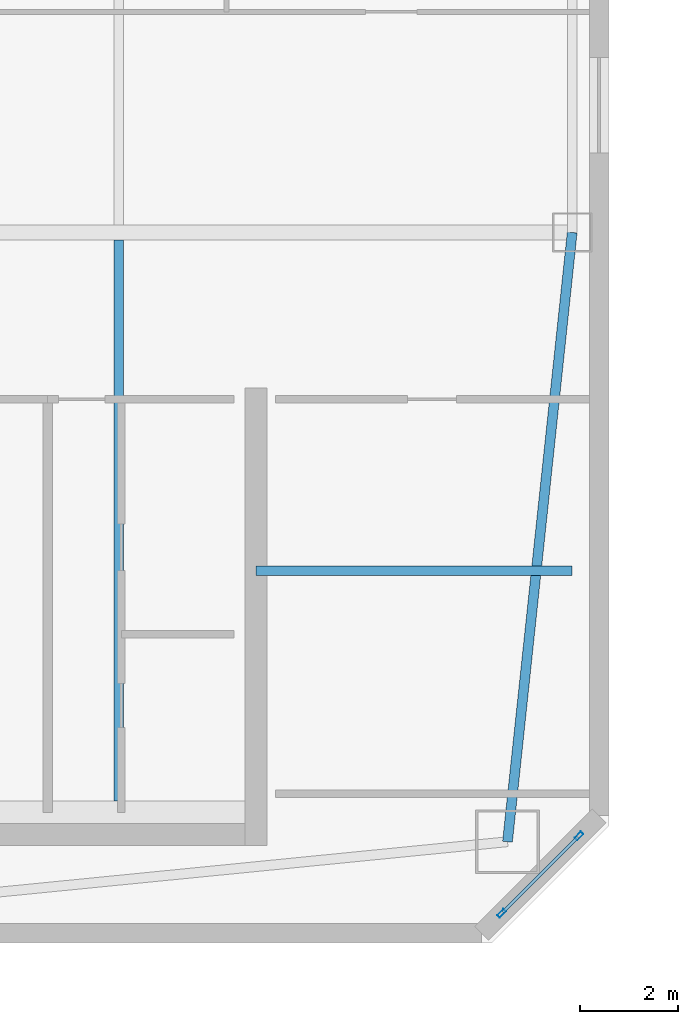
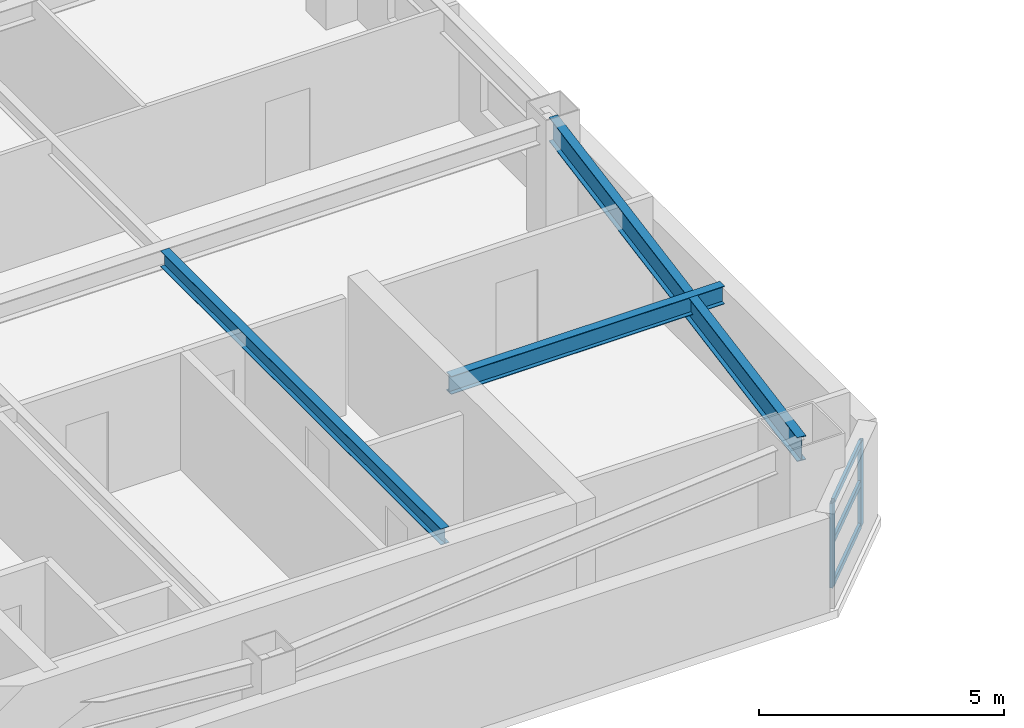
# One storey, part 4 of 20: 5 members, 3 beams, 1 element without a shape of its own.
"""IFC4 building model written with IfcOpenShell, lengths in metres."""

from ifc_helpers import new_model, si_unit, direction, frame, origin, origin_2d, place, context, subcontext, project, spatial, hollow_rectangle, i_section, extrude, material, layer, layer_set, material_profile, profile_set, type_object, element, aggregate, save


model = new_model("IFC4")

# Units and contexts
model_context = context("Model", 3, precision=1e-05, world=origin(), true_north=direction((0.0, 1.0)))
body_context = subcontext(model_context, "Body", "Model", "MODEL_VIEW")
ifc_project = project(units=[si_unit("LENGTHUNIT", "METRE"), si_unit("AREAUNIT", "SQUARE_METRE"), si_unit("VOLUMEUNIT", "CUBIC_METRE"), si_unit("PLANEANGLEUNIT", "RADIAN"), si_unit("MASSUNIT", "GRAM", prefix="KILO")], contexts=[model_context])

# Site, building, storey
site_placement = place(None, origin())
site = spatial("IfcSite", under=ifc_project, at=site_placement, CompositionType="ELEMENT")
building_placement = place(site_placement, origin())
building = spatial("IfcBuilding", under=site, at=building_placement, Name="Qiaolan Cultural Towers", CompositionType="ELEMENT")
storey_placement = place(building_placement, frame((0.0, 0.0, 244.0)))
storey = spatial("IfcBuildingStorey", under=building, at=storey_placement, Name="L66", CompositionType="ELEMENT", Elevation=244.0)

# Beams
ifc_material_1 = material(Name="Steel Q355B", Category="steel")
ifc_material_profile_1 = material_profile(ifc_material_1, i_section(OverallWidth=0.199951171875, OverallDepth=0.39990234375, WebThickness=0.008056640625, FlangeThickness=0.012939453125, at=origin_2d()), Name="HN400x200x8x13")
ifc_profile_set_1 = profile_set([ifc_material_profile_1], Name="Steel Q355B")
beam_type_1 = type_object("IfcBeamType", Name="BM-JST-HN400x200x8x13", PredefinedType="JOIST", material=ifc_profile_set_1)
beam_1_placement = place(storey_placement, frame((35.39990234375, 13.39990234375, 2.739990234375), z_axis=(0.0, 1.0, 0.0), x_axis=(-1.0, 0.0, 0.0)))
element("IfcBeam", 1, at=beam_1_placement, inside=storey, type_object=beam_type_1, Name="L66 T1 Secondary Floor Joist U3-1", PredefinedType="JOIST", context=body_context, shape_type="SweptSolid", body=[
    extrude(i_section(OverallWidth=0.199951171875, OverallDepth=0.39990234375, WebThickness=0.008056640625, FlangeThickness=0.012939453125, at=origin_2d()), origin(), (0.0, 0.0, 1.0), 11.4501953125),
])
ifc_material_2 = material(Name="Steel Q355B", Category="steel")
ifc_material_profile_2 = material_profile(ifc_material_2, i_section(OverallWidth=0.199951171875, OverallDepth=0.449951171875, WebThickness=0.009033203125, FlangeThickness=0.013916015625, at=origin_2d()), Name="HN450x200x9x14")
ifc_profile_set_2 = profile_set([ifc_material_profile_2], Name="Steel Q355B")
beam_type_2 = type_object("IfcBeamType", Name="BM-LNT-HN450x200x9x14", PredefinedType="LINTEL", material=ifc_profile_set_2)
beam_2_placement = place(storey_placement, frame((38.199951171875, 18.10009765625, 2.715087890625), z_axis=(1.0, 0.0, 0.0), x_axis=(0.0, 1.0, 0.0)))
element("IfcBeam", 2, at=beam_2_placement, inside=storey, type_object=beam_type_2, Name="L66 T1 Core Flank Tie Lintel ES", PredefinedType="LINTEL", context=body_context, shape_type="SweptSolid", body=[
    extrude(i_section(OverallWidth=0.199951171875, OverallDepth=0.449951171875, WebThickness=0.009033203125, FlangeThickness=0.013916015625, at=origin_2d()), origin(), (0.0, 0.0, 1.0), 6.449951171875),
])
ifc_material_3 = material(Name="Steel Q355B", Category="steel")
ifc_material_profile_3 = material_profile(ifc_material_3, i_section(OverallWidth=0.199951171875, OverallDepth=0.60009765625, WebThickness=0.010986328125, FlangeThickness=0.01708984375, at=origin_2d()), Name="HN600x200x11x17")
ifc_profile_set_3 = profile_set([ifc_material_profile_3], Name="Steel Q355B")
beam_type_3 = type_object("IfcBeamType", Name="BM-SPD-HN600x200x11x17", PredefinedType="SPANDREL", material=ifc_profile_set_3)
beam_3_placement = place(storey_placement, frame((43.330078125, 12.570068359375, 2.639892578125), z_axis=(0.105587580773, 0.994410007384, 0.0), x_axis=(-0.994410007384, 0.105587580773, 0.0)))
element("IfcBeam", 3, at=beam_3_placement, inside=storey, type_object=beam_type_3, Name="L66 T1 Perimeter Spandrel Beam 3", PredefinedType="SPANDREL", context=body_context, shape_type="SweptSolid", body=[
    extrude(i_section(OverallWidth=0.199951171875, OverallDepth=0.60009765625, WebThickness=0.010986328125, FlangeThickness=0.01708984375, at=origin_2d()), origin(), (0.0, 0.0, 1.0), 12.499755859375),
])

# Curtain wall, members
ifc_material_4 = material(Name="Unitized Anodized Aluminium Curtain Wall System", Category="aluminium")
ifc_layer = layer(ifc_material_4, 0.199951171875)
ifc_layer_set = layer_set([ifc_layer], Name="Unitized Anodized Aluminium Curtain Wall System")
curtain_wall_type = type_object("IfcCurtainWallType", Name="CWS-05", PredefinedType="NOTDEFINED", material=ifc_layer_set)
curtain_wall_placement = place(storey_placement, origin())
curtain_wall = element("IfcCurtainWall", 4, at=curtain_wall_placement, inside=storey, type_object=curtain_wall_type, Name="L66 T1 Chamfer Wind-Corner Feature Curtain Wall 2", PredefinedType="NOTDEFINED")
ifc_material_5 = material(Name="Extruded Aluminium 6063-T6", Category="aluminium")
ifc_material_profile_4 = material_profile(ifc_material_5, hollow_rectangle(XDim=0.074951171875, YDim=0.179931640625, WallThickness=0.00390625, at=origin_2d()), Name="CWM-180x75x4")
ifc_profile_set_4 = profile_set([ifc_material_profile_4], Name="Extruded Aluminium 6063-T6")
member_type_1 = type_object("IfcMemberType", Name="CWS-05-MUL", PredefinedType="MULLION", material=ifc_profile_set_4)
member_1_placement = place(storey_placement, frame((44.78955078125, 12.689453125, 0.14990234375), z_axis=(0.0, 0.0, 1.0), x_axis=(0.707106781187, -0.707106781187, 0.0)))
member_1 = element("IfcMember", 5, at=member_1_placement, type_object=member_type_1, Name="CW-5 mullion 1", PredefinedType="MULLION", context=body_context, shape_type="SweptSolid", body=[
    extrude(hollow_rectangle(XDim=0.074951171875, YDim=0.179931640625, WallThickness=0.00390625, at=origin_2d()), origin(), (0.0, 0.0, 1.0), 2.110107421875),
])
member_2_placement = place(storey_placement, frame((43.21044921875, 11.110595703125, 0.14990234375), z_axis=(0.0, 0.0, 1.0), x_axis=(0.707106781187, -0.707106781187, 0.0)))
member_2 = element("IfcMember", 6, at=member_2_placement, type_object=member_type_1, Name="CW-5 mullion 2", PredefinedType="MULLION", context=body_context, shape_type="SweptSolid", body=[
    extrude(hollow_rectangle(XDim=0.074951171875, YDim=0.179931640625, WallThickness=0.00390625, at=origin_2d()), origin(), (0.0, 0.0, 1.0), 2.110107421875),
])
ifc_material_6 = material(Name="Extruded Aluminium 6063-T6", Category="aluminium")
ifc_material_profile_5 = material_profile(ifc_material_6, hollow_rectangle(XDim=0.06494140625, YDim=0.14990234375, WallThickness=0.00390625, at=origin_2d()), Name="CWT-150x65x4")
ifc_profile_set_5 = profile_set([ifc_material_profile_5], Name="Extruded Aluminium 6063-T6")
member_type_2 = type_object("IfcMemberType", Name="CWS-05-TRN", PredefinedType="USERDEFINED", material=ifc_profile_set_5)
member_3_placement = place(storey_placement, frame((44.762939453125, 12.6630859375, 0.1826171875), z_axis=(-0.707050214907, -0.707163342941, 0.0), x_axis=(0.707163342941, -0.707050214907, 0.0)))
member_3 = element("IfcMember", 7, at=member_3_placement, type_object=member_type_2, Name="CW-5 transom 1.1", ObjectType="TRANSOM", PredefinedType="USERDEFINED", context=body_context, shape_type="SweptSolid", body=[
    extrude(hollow_rectangle(XDim=0.06494140625, YDim=0.14990234375, WallThickness=0.00390625, at=origin_2d()), origin(), (0.0, 0.0, 1.0), 2.158203125),
])
member_4_placement = place(storey_placement, frame((44.762939453125, 12.6630859375, 1.25), z_axis=(-0.707050214907, -0.707163342941, 0.0), x_axis=(0.707163342941, -0.707050214907, 0.0)))
member_4 = element("IfcMember", 8, at=member_4_placement, type_object=member_type_2, Name="CW-5 transom 1.2", ObjectType="TRANSOM", PredefinedType="USERDEFINED", context=body_context, shape_type="SweptSolid", body=[
    extrude(hollow_rectangle(XDim=0.06494140625, YDim=0.14990234375, WallThickness=0.00390625, at=origin_2d()), origin(), (0.0, 0.0, 1.0), 2.158203125),
])
member_5_placement = place(storey_placement, frame((44.762939453125, 12.6630859375, 2.2275390625), z_axis=(-0.707050214907, -0.707163342941, 0.0), x_axis=(0.707163342941, -0.707050214907, 0.0)))
member_5 = element("IfcMember", 9, at=member_5_placement, type_object=member_type_2, Name="CW-5 transom 1.3", ObjectType="TRANSOM", PredefinedType="USERDEFINED", context=body_context, shape_type="SweptSolid", body=[
    extrude(hollow_rectangle(XDim=0.06494140625, YDim=0.14990234375, WallThickness=0.00390625, at=origin_2d()), origin(), (0.0, 0.0, 1.0), 2.158203125),
])
aggregate(curtain_wall, [member_1, member_2, member_3, member_4, member_5])

save(model, "model.ifc")
